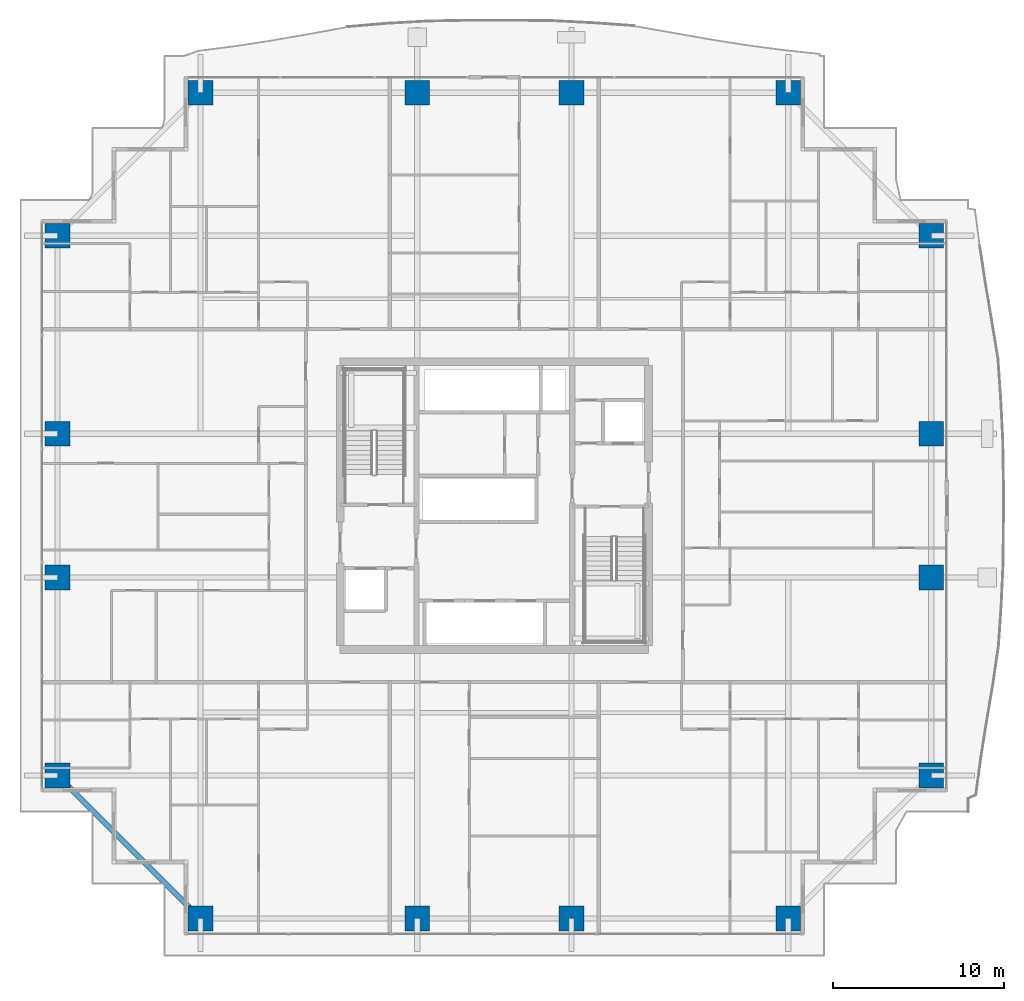
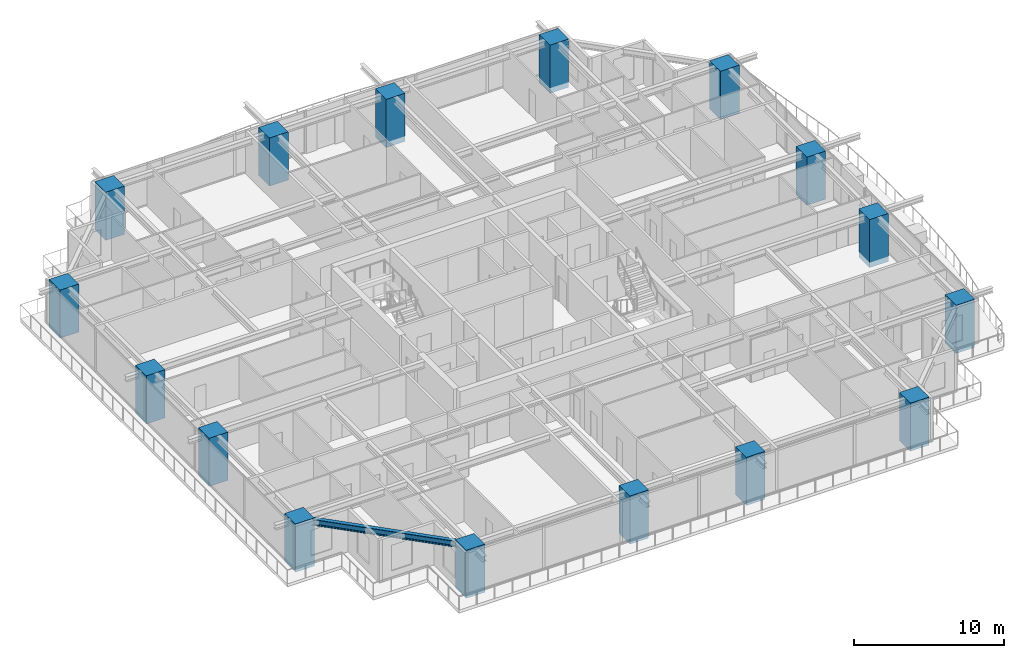
# One storey, part 1 of 37: 16 columns, 1 beam.
"""IFC4 building model written with IfcOpenShell, lengths in metres."""

from ifc_helpers import new_model, si_unit, direction, frame, origin, origin_2d, place, context, subcontext, project, spatial, rectangle, i_section, extrude, source, transform, mapped, material, material_profile, profile_set, type_object, element, save


model = new_model("IFC4")

# Units and contexts
model_context = context("Model", 3, precision=1e-05, world=origin(), true_north=direction((0.0, 1.0)))
body_context = subcontext(model_context, "Body", "Model", "MODEL_VIEW")
ifc_project = project(units=[si_unit("LENGTHUNIT", "METRE"), si_unit("AREAUNIT", "SQUARE_METRE"), si_unit("VOLUMEUNIT", "CUBIC_METRE"), si_unit("PLANEANGLEUNIT", "RADIAN"), si_unit("MASSUNIT", "GRAM", prefix="KILO")], contexts=[model_context])

# Site, building, storey
site_placement = place(None, origin())
site = spatial("IfcSite", under=ifc_project, at=site_placement, CompositionType="ELEMENT")
building_placement = place(site_placement, origin())
building = spatial("IfcBuilding", under=site, at=building_placement, Name="Serunith Strait Residences", CompositionType="ELEMENT")
storey_placement = place(building_placement, frame((0.0, 0.0, 26.699951171875)))
storey = spatial("IfcBuildingStorey", under=building, at=storey_placement, Name="L05", CompositionType="ELEMENT", Elevation=26.699951171875)

# Columns
ifc_material_1 = material(Name="Concrete C90/105", Category="concrete")
ifc_material_profile_1 = material_profile(ifc_material_1, rectangle(XDim=1.449951171875, YDim=1.449951171875, at=origin_2d()), Name="RC 1450x1450")
ifc_profile_set_1 = profile_set([ifc_material_profile_1], Name="Concrete C90/105")
column_type = type_object("IfcColumnType", Name="COL-RC-1450", PredefinedType="COLUMN", material=ifc_profile_set_1)
shared_shape_1 = source(origin(), body_context, "Body", "SweptSolid", [
    extrude(rectangle(XDim=1.449951171875, YDim=1.449951171875, at=origin_2d()), origin(), (0.0, 0.0, 1.0), 3.929931640625),
])
for number, where, z_axis, x_axis, name in (
    (1, (15.25, 1.10009765625, -0.43994140625), (0.0, 0.0, 1.0), (1.0, 0.0, 0.0), "L05 Tower Mega-Column TC-S1"),
    (2, (27.89990234375, 1.10009765625, -0.43994140625), (0.0, 0.0, 1.0), (1.0, 0.0, 0.0), "L05 Tower Mega-Column TC-S2"),
    (3, (36.89990234375, 1.10009765625, -0.43994140625), (0.0, 0.0, 1.0), (1.0, 0.0, 0.0), "L05 Tower Mega-Column TC-S3"),
    (4, (49.550048828125, 1.10009765625, -0.43994140625), (0.0, 0.0, 1.0), (1.0, 0.0, 0.0), "L05 Tower Mega-Column TC-S4"),
    (5, (15.25, 49.300048828125, -0.43994140625), (0.0, 0.0, 1.0), (1.0, 0.0, 0.0), "L05 Tower Mega-Column TC-N1"),
    (6, (27.89990234375, 49.300048828125, -0.43994140625), (0.0, 0.0, 1.0), (1.0, 0.0, 0.0), "L05 Tower Mega-Column TC-N2"),
    (7, (36.89990234375, 49.300048828125, -0.43994140625), (0.0, 0.0, 1.0), (1.0, 0.0, 0.0), "L05 Tower Mega-Column TC-N3"),
    (8, (49.550048828125, 49.300048828125, -0.43994140625), (0.0, 0.0, 1.0), (1.0, 0.0, 0.0), "L05 Tower Mega-Column TC-N4"),
    (9, (57.89990234375, 9.449951171875, -0.43994140625), (0.0, 0.0, 1.0), (1.0, 0.0, 0.0), "L05 Tower Mega-Column TC-E1"),
    (10, (57.89990234375, 21.0, -0.43994140625), (0.0, 0.0, 1.0), (1.0, 0.0, 0.0), "L05 Tower Mega-Column TC-E2"),
    (11, (57.89990234375, 29.39990234375, -0.43994140625), (0.0, 0.0, 1.0), (1.0, 0.0, 0.0), "L05 Tower Mega-Column TC-E3"),
    (12, (57.89990234375, 40.949951171875, -0.43994140625), (0.0, 0.0, 1.0), (1.0, 0.0, 0.0), "L05 Tower Mega-Column TC-E4"),
    (13, (6.89990234375, 9.449951171875, -0.43994140625), (0.0, 0.0, 1.0), (1.0, 0.0, 0.0), "L05 Tower Mega-Column TC-W1"),
    (14, (6.89990234375, 21.0, -0.43994140625), (0.0, 0.0, 1.0), (1.0, 0.0, 0.0), "L05 Tower Mega-Column TC-W2"),
    (15, (6.89990234375, 29.39990234375, -0.43994140625), (0.0, 0.0, 1.0), (1.0, 0.0, 0.0), "L05 Tower Mega-Column TC-W3"),
    (16, (6.89990234375, 40.949951171875, -0.43994140625), (0.0, 0.0, 1.0), (1.0, 0.0, 0.0), "L05 Tower Mega-Column TC-W4"),
):
    element("IfcColumn", number, at=place(storey_placement, frame(where, z_axis=z_axis, x_axis=x_axis)), inside=storey, type_object=column_type, Name=name, PredefinedType="COLUMN", context=body_context, shape_type="MappedRepresentation", body=[
        mapped(shared_shape_1, transform((0.0, 0.0, 0.0), scale=1.0)),
    ])

# Beam
ifc_material_2 = material(Name="Steel S355J2", Category="steel")
ifc_material_profile_2 = material_profile(ifc_material_2, i_section(OverallWidth=0.300048828125, OverallDepth=0.5, WebThickness=0.014404296875, FlangeThickness=0.028076171875, FilletRadius=0.027099609375, at=origin_2d()), Name="HEB 500")
ifc_profile_set_2 = profile_set([ifc_material_profile_2], Name="Steel S355J2")
beam_type = type_object("IfcBeamType", Name="BM-HEB500", PredefinedType="BEAM", material=ifc_profile_set_2)
shared_shape_2 = source(origin(), body_context, "Body", "SweptSolid", [
    extrude(i_section(OverallWidth=0.300048828125, OverallDepth=0.5, WebThickness=0.014404296875, FlangeThickness=0.028076171875, FilletRadius=0.027099609375, at=origin_2d()), origin(), (0.0, 0.0, 1.0), 11.80859375),
])
beam_placement = place(storey_placement, frame((6.89990234375, 9.449951171875, 3.20703125), z_axis=(0.707117118476, -0.707096443746, 0.0), x_axis=(0.707096443746, 0.707117118476, 0.0)))
element("IfcBeam", 17, at=beam_placement, inside=storey, type_object=beam_type, Name="L05 Perimeter Ring Beam 16", PredefinedType="BEAM", context=body_context, shape_type="MappedRepresentation", body=[
    mapped(shared_shape_2, transform((0.0, 0.0, 0.0), scale=1.0)),
])

save(model, "model.ifc")
